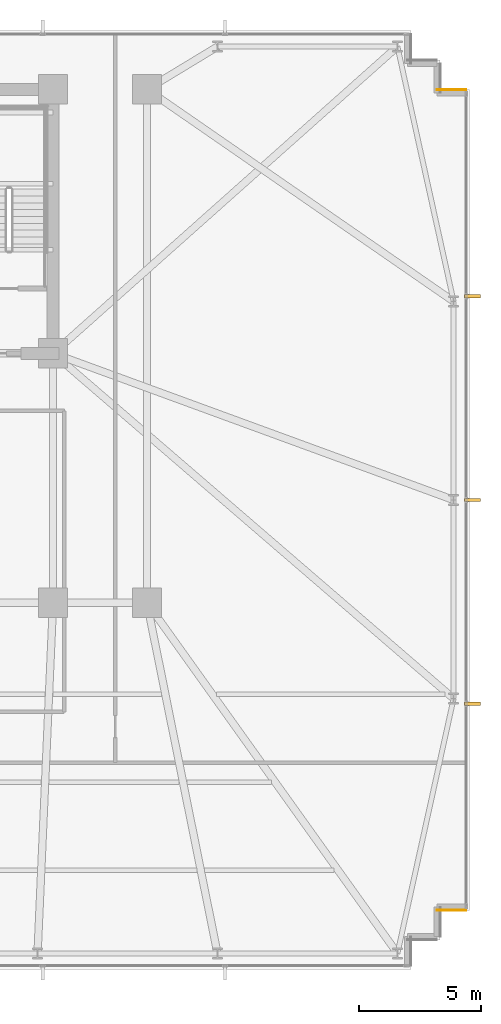
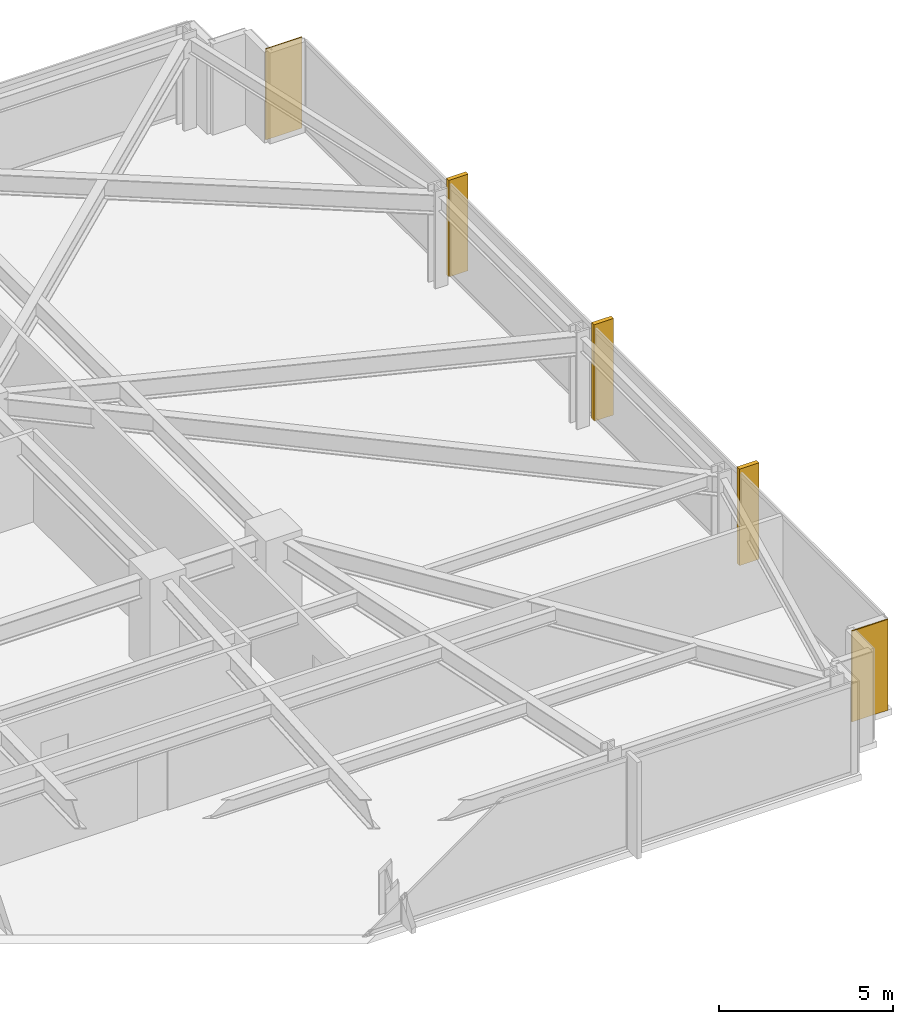
# One storey, part 32 of 32: 3 shading devices, 2 coverings.
"""IFC4 building model written with IfcOpenShell, lengths in metres."""

import ifcopenshell
import ifcopenshell.guid

model = None  # the IFC model being written
_history = None  # IfcOwnerHistory: only IFC2X3 demands one
_inside = {}  # id of a spatial element -> (the spatial element, [elements in it])
_under = {}  # id of a project, library or spatial element -> (it, [spatial elements below it])
_declared = {}  # id of a project -> (the project, [libraries it declares])
_typed = {}  # id of a type object -> (the type object, [elements of that type])
_made_of = {}  # id of a material, layer set ... -> (it, [elements and type objects made of it])


def new_model(schema):
    """Start an empty IFC model of exactly this schema.

    Asked for "IFC4X3", IfcOpenShell would pick the latest addendum, in which some entities
    have other attributes; the version numbers below select the first issue.
    IFC2X3 requires an IfcOwnerHistory on every rooted entity: one is made here for all.
    """
    global model, _history
    if schema == "IFC4X3":
        model = ifcopenshell.file(schema_version=(4, 3, 0, 0))
    else:
        model = ifcopenshell.file(schema=schema)
    _inside.clear()
    _under.clear()
    _declared.clear()
    _typed.clear()
    _made_of.clear()
    _history = None
    if model.schema == "IFC2X3":
        org = make("IfcOrganization", Name="unknown")
        user = make(
            "IfcPersonAndOrganization",
            ThePerson=make("IfcPerson", FamilyName="unknown"),
            TheOrganization=org,
        )
        app = make(
            "IfcApplication",
            ApplicationDeveloper=org,
            Version="unknown",
            ApplicationFullName="unknown",
            ApplicationIdentifier="unknown",
        )
        _history = make(
            "IfcOwnerHistory",
            OwningUser=user,
            OwningApplication=app,
            ChangeAction="ADDED",
            CreationDate=0,
        )
    return model


def make(cls, **values):
    """One entity of the class cls with the attributes given. An attribute that is None is left unset."""
    return model.create_entity(
        cls, **{name: value for name, value in values.items() if value is not None}
    )


def rooted(cls, **values):
    """An entity with a GlobalId (a new one), such as an element, a storey or a relation."""
    return make(cls, GlobalId=ifcopenshell.guid.new(), OwnerHistory=_history, **values)


def si_unit(unit_type, name, prefix=None):
    """IfcSIUnit, for example si_unit("LENGTHUNIT", "METRE", prefix="MILLI")."""
    return make("IfcSIUnit", UnitType=unit_type, Prefix=prefix, Name=name)


def assignment(units):
    """IfcUnitAssignment: the units of a project."""
    return None if units is None else make("IfcUnitAssignment", Units=units)


def point(xyz):
    """IfcCartesianPoint."""
    return None if xyz is None else make("IfcCartesianPoint", Coordinates=xyz)


def direction(xyz):
    """IfcDirection."""
    return None if xyz is None else make("IfcDirection", DirectionRatios=xyz)


def frame(location, z_axis=None, x_axis=None):
    """IfcAxis2Placement3D, a coordinate frame: its origin and axes. An axis left out is left unset."""
    return make(
        "IfcAxis2Placement3D",
        Location=point(location),
        Axis=direction(z_axis),
        RefDirection=direction(x_axis),
    )


def frame_2d(location, x_axis=None):
    """IfcAxis2Placement2D, a coordinate frame in the plane: its origin and x axis."""
    return make(
        "IfcAxis2Placement2D", Location=point(location), RefDirection=direction(x_axis)
    )


def origin():
    """The frame at (0, 0, 0) with its axes left unset."""
    return frame((0.0, 0.0, 0.0))


def origin_2d():
    """The frame at (0, 0) in the plane with its x axis left unset."""
    return frame_2d((0.0, 0.0))


def place(relative_to, where):
    """IfcLocalPlacement: puts the frame where relative to a parent placement (None: the world)."""
    return make(
        "IfcLocalPlacement", PlacementRelTo=relative_to, RelativePlacement=where
    )


def context(
    kind, dimensions, precision=None, world=None, true_north=None, identifier=None
):
    """IfcGeometricRepresentationContext, for example the 3D "Model" context."""
    return make(
        "IfcGeometricRepresentationContext",
        ContextIdentifier=identifier,
        ContextType=kind,
        CoordinateSpaceDimension=dimensions,
        Precision=precision,
        WorldCoordinateSystem=world,
        TrueNorth=true_north,
    )


def subcontext(parent, identifier, kind, view, scale=None):
    """IfcGeometricRepresentationSubContext, for example "Body" below "Model"."""
    return make(
        "IfcGeometricRepresentationSubContext",
        ContextIdentifier=identifier,
        ContextType=kind,
        ParentContext=parent,
        TargetScale=scale,
        TargetView=view,
    )


def project(units=None, contexts=None):
    """IfcProject with its units and contexts."""
    return rooted(
        "IfcProject",
        Name="project",
        RepresentationContexts=contexts,
        UnitsInContext=assignment(units),
    )


def spatial(cls, under=None, at=None, **own):
    """A site, building, storey or space (cls), placed at a placement, below another one or the project."""
    s = rooted(cls, ObjectPlacement=at, **own)
    if under is not None:
        _under.setdefault(under.id(), (under, []))[1].append(s)
    return s


def profile(cls, at=None, kind="AREA", **sizes):
    """A parametric profile (cls). Its sizes go by their IFC names, for example OverallWidth=200.0."""
    return make(cls, ProfileType=kind, Position=at, **sizes)


def rectangle(**sizes):
    """IfcRectangleProfileDef."""
    return profile("IfcRectangleProfileDef", **sizes)


def extrude(swept, where, along, depth):
    """IfcExtrudedAreaSolid: the profile swept, set in the frame where, extruded along a direction by depth."""
    return make(
        "IfcExtrudedAreaSolid",
        SweptArea=swept,
        Position=where,
        ExtrudedDirection=direction(along),
        Depth=depth,
    )


def shape(context_of_items, identifier, shape_type, items):
    """IfcShapeRepresentation: the items that make up one representation, for example the "Body"."""
    return make(
        "IfcShapeRepresentation",
        ContextOfItems=context_of_items,
        RepresentationIdentifier=identifier,
        RepresentationType=shape_type,
        Items=items,
    )


def material(Name=None, Category=None):
    """IfcMaterial."""
    return make("IfcMaterial", Name=Name, Category=Category)


def layer(
    of_material, thickness, ventilated=None, Name=None, Category=None, Priority=None
):
    """IfcMaterialLayer: one layer of a wall or slab, of a material (None: an air gap)."""
    return make(
        "IfcMaterialLayer",
        Material=of_material,
        LayerThickness=thickness,
        IsVentilated=ventilated,
        Name=Name,
        Category=Category,
        Priority=Priority,
    )


def layer_set(layers, Name=None):
    """IfcMaterialLayerSet."""
    return make("IfcMaterialLayerSet", MaterialLayers=layers, LayerSetName=Name)


def made_of(thing, what):
    """Note that an element or type object is made of a material, layer set ...; save() writes the relation."""
    if what is not None:
        _made_of.setdefault(what.id(), (what, []))[1].append(thing)
    return thing


def type_object(cls, material=None, **own):
    """A type object (cls), such as IfcWallType, which elements share."""
    return made_of(rooted(cls, **own), material)


def element(
    cls,
    number,
    at=None,
    inside=None,
    cuts=None,
    type_object=None,
    material=None,
    context=None,
    identifier="Body",
    shape_type=None,
    held_by="IfcProductDefinitionShape",
    body=None,
    shapes=None,
    **own,
):
    """One element of the class cls, such as IfcWall. Its Tag is "e" and its number.

    at: its placement. inside: the storey or other place that contains it. cuts: it is an
    opening in that element (IfcRelVoidsElement). A single representation is given by context,
    identifier, shape_type and body (its items); several are given by shapes. held_by: the class
    of the entity that holds the representations. save() writes the other relations.
    """
    e = rooted(cls, Tag="e%d" % number, ObjectPlacement=at, **own)
    if body is not None:
        shapes = [shape(context, identifier, shape_type, body)]
    if shapes is not None:
        e.Representation = make(held_by, Representations=shapes)
    if inside is not None:
        _inside.setdefault(inside.id(), (inside, []))[1].append(e)
    if cuts is not None:
        rooted(
            "IfcRelVoidsElement", RelatingBuildingElement=cuts, RelatedOpeningElement=e
        )
    if type_object is not None:
        _typed.setdefault(type_object.id(), (type_object, []))[1].append(e)
    return made_of(e, material)


def aggregate(whole, parts):
    """IfcRelAggregates: a whole, such as a stair, and the parts it consists of."""
    return rooted("IfcRelAggregates", RelatingObject=whole, RelatedObjects=parts)


def save(model, path):
    """Write the relations noted so far, then the file.

    IfcRelAggregates (storeys below a building ...), IfcRelContainedInSpatialStructure (elements
    in a storey), IfcRelDefinesByType, IfcRelAssociatesMaterial and IfcRelDeclares: one each for
    every whole, place, type object, material and project.
    """
    for whole, parts in _under.values():
        aggregate(whole, parts)
    for where, things in _inside.values():
        rooted(
            "IfcRelContainedInSpatialStructure",
            RelatedElements=things,
            RelatingStructure=where,
        )
    for kind, things in _typed.values():
        rooted("IfcRelDefinesByType", RelatedObjects=things, RelatingType=kind)
    for what, things in _made_of.values():
        rooted("IfcRelAssociatesMaterial", RelatedObjects=things, RelatingMaterial=what)
    for by, libraries in _declared.values():
        rooted("IfcRelDeclares", RelatingContext=by, RelatedDefinitions=libraries)
    model.write(path)


model = new_model("IFC4")

# Units and contexts
model_context = context("Model", 3, precision=1e-05, world=origin(), true_north=direction((0.0, 1.0)))
body_context = subcontext(model_context, "Body", "Model", "MODEL_VIEW")
ifc_project = project(units=[si_unit("LENGTHUNIT", "METRE"), si_unit("AREAUNIT", "SQUARE_METRE"), si_unit("VOLUMEUNIT", "CUBIC_METRE"), si_unit("PLANEANGLEUNIT", "RADIAN"), si_unit("MASSUNIT", "GRAM", prefix="KILO")], contexts=[model_context])

# Site, building, storey
site_placement = place(None, origin())
site = spatial("IfcSite", under=ifc_project, at=site_placement, CompositionType="ELEMENT")
building_placement = place(site_placement, origin())
building = spatial("IfcBuilding", under=site, at=building_placement, Name="Yelkora Congress Tower", CompositionType="ELEMENT")
storey_placement = place(building_placement, frame((0.0, 0.0, 33.800048828125)))
storey = spatial("IfcBuildingStorey", under=building, at=storey_placement, Name="L07", CompositionType="ELEMENT", Elevation=33.800048828125)

# Coverings
ifc_material_1 = material(Name="Anatolian bush-hammered limestone", Category="masonry")
ifc_layer_1 = layer(ifc_material_1, 0.0400390625)
ifc_layer_set_1 = layer_set([ifc_layer_1], Name="Anatolian bush-hammered limestone")
covering_type = type_object("IfcCoveringType", Name="COV-CLAD-SPANDREL-40", PredefinedType="CLADDING", material=ifc_layer_set_1)
for number, where, z_axis, x_axis, name in (
    (1, (69.4599609375, 46.195068359375, 0.0), (0.0, 0.0, 1.0), (1.0, 0.0, 0.0), "L07 Anatolian Limestone Cladding EW-L07-SR14"),
    (2, (70.659912109375, 12.60498046875, 0.0), (0.0, 0.0, 1.0), (-1.0, 0.0, 0.0), "L07 Anatolian Limestone Cladding EW-L07-SR16"),
):
    element("IfcCovering", number, at=place(storey_placement, frame(where, z_axis=z_axis, x_axis=x_axis)), inside=storey, type_object=covering_type, Name=name, PredefinedType="CLADDING", context=body_context, shape_type="SweptSolid", body=[
        extrude(rectangle(XDim=1.199951171875, YDim=0.0400390625, at=frame_2d((0.60009765625, 0.0))), origin(), (0.0, 0.0, 1.0), 3.179931640625),
    ])

# Shading devices
ifc_material_2 = material(Name="Champagne anodised aluminium", Category="aluminium")
ifc_layer_2 = layer(ifc_material_2, 3.39990234375)
ifc_layer_set_2 = layer_set([ifc_layer_2], Name="Champagne anodised aluminium")
shading_device_type = type_object("IfcShadingDeviceType", Name="SHD-FIN-ALU-640", PredefinedType="USERDEFINED", material=ifc_layer_set_2)
for number, where, z_axis, x_axis, name in (
    (3, (70.919921875, 37.72998046875, -0.030029296875), (0.0, 0.0, 1.0), (0.0, -1.0, 0.0), "L07 Vertical Anodised Solar Fin 15-1"),
    (4, (70.919921875, 29.39990234375, -0.030029296875), (0.0, 0.0, 1.0), (0.0, -1.0, 0.0), "L07 Vertical Anodised Solar Fin 15-2"),
    (5, (70.919921875, 21.070068359375, -0.030029296875), (0.0, 0.0, 1.0), (0.0, -1.0, 0.0), "L07 Vertical Anodised Solar Fin 15-3"),
):
    element("IfcShadingDevice", number, at=place(storey_placement, frame(where, z_axis=z_axis, x_axis=x_axis)), inside=storey, type_object=shading_device_type, Name=name, ObjectType="FIN", PredefinedType="USERDEFINED", context=body_context, shape_type="SweptSolid", body=[
        extrude(rectangle(XDim=0.139892578125, YDim=0.639892578125, at=origin_2d()), origin(), (0.0, 0.0, 1.0), 3.3798828125),
    ])

save(model, "model.ifc")
